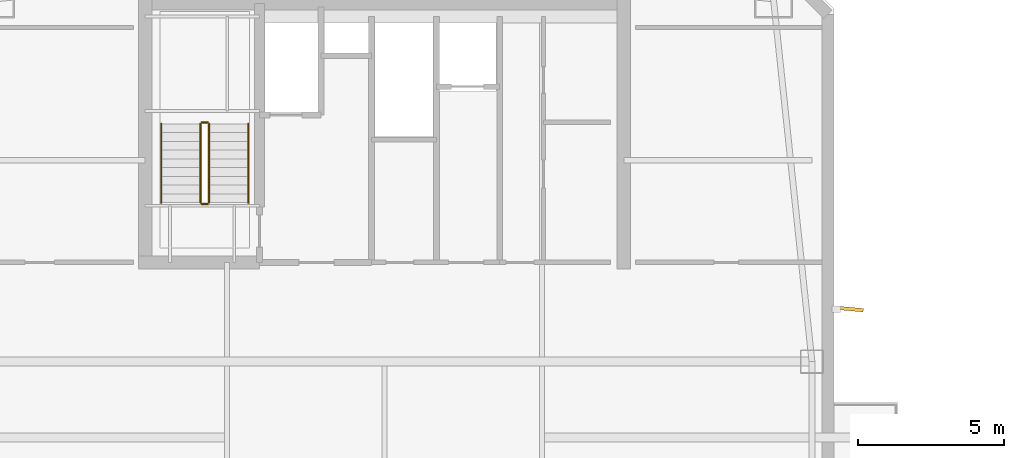
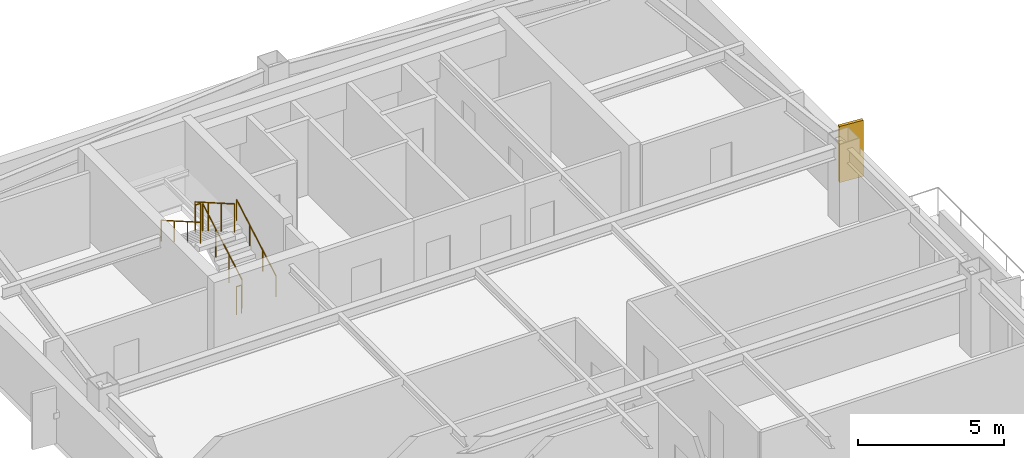
# One storey, part 16 of 18: 6 railings, 1 shading device.
"""IFC4 building model written with IfcOpenShell, lengths in metres."""

from ifc_helpers import new_model, si_unit, direction, frame, origin, origin_2d, place, context, subcontext, project, spatial, rectangle, circle, extrude, material, layer, layer_set, type_object, element, save


model = new_model("IFC4")

# Units and contexts
model_context = context("Model", 3, precision=1e-05, world=origin(), true_north=direction((0.0, 1.0)))
body_context = subcontext(model_context, "Body", "Model", "MODEL_VIEW")
ifc_project = project(units=[si_unit("LENGTHUNIT", "METRE"), si_unit("AREAUNIT", "SQUARE_METRE"), si_unit("VOLUMEUNIT", "CUBIC_METRE"), si_unit("PLANEANGLEUNIT", "RADIAN"), si_unit("MASSUNIT", "GRAM", prefix="KILO")], contexts=[model_context])

# Site, building, storey
site_placement = place(None, origin())
site = spatial("IfcSite", under=ifc_project, at=site_placement, CompositionType="ELEMENT")
building_placement = place(site_placement, origin())
building = spatial("IfcBuilding", under=site, at=building_placement, Name="Qiaolan Cultural Towers", CompositionType="ELEMENT")
storey_placement = place(building_placement, frame((0.0, 0.0, 226.550048828125)))
storey = spatial("IfcBuildingStorey", under=building, at=storey_placement, Name="L61", CompositionType="ELEMENT", Elevation=226.550048828125)

# Railings
ifc_material_1 = material(Name="Galvanized Painted Steel Stair Guardrail", Category="steel")
railing_type_1 = type_object("IfcRailingType", Name="RL-STAIR-GRD", PredefinedType="GUARDRAIL", material=ifc_material_1)
railing_1_placement = place(storey_placement, frame((23.989990234375, 48.449951171875, 0.17236328125)))
element("IfcRailing", 1, at=railing_1_placement, inside=storey, type_object=railing_type_1, Name="L61 ST-W2 stair guard 1", PredefinedType="GUARDRAIL", context=body_context, shape_type="SweptSolid", body=[
    extrude(circle(Radius=0.02392578125, at=origin_2d()), frame((0.0, 0.0, 1.17578125), z_axis=(0.0, 0.866903762492, 0.498475542607), x_axis=(-1.0, 0.0, 0.0)), (0.0, 0.0, 1.0), 3.114501953125),
    extrude(circle(Radius=0.02099609375, at=origin_2d()), origin(), (0.0, 0.0, 1.0), 1.15185546875),
    extrude(circle(Radius=0.02099609375, at=origin_2d()), frame((0.0, 0.89990234375, 0.517578125)), (0.0, 0.0, 1.0), 1.15185546875),
    extrude(circle(Radius=0.02099609375, at=origin_2d()), frame((0.0, 1.800048828125, 1.034912109375)), (0.0, 0.0, 1.0), 1.15185546875),
    extrude(circle(Radius=0.02099609375, at=origin_2d()), frame((0.0, 2.699951171875, 1.552490234375)), (0.0, 0.0, 1.0), 1.15185546875),
])
railing_2_placement = place(storey_placement, frame((23.93994140625, 51.199951171875, 1.724853515625)))
element("IfcRailing", 2, at=railing_2_placement, inside=storey, type_object=railing_type_1, Name="L61 ST-W2 stair guard 2", PredefinedType="GUARDRAIL", context=body_context, shape_type="SweptSolid", body=[
    extrude(circle(Radius=0.02392578125, at=origin_2d()), frame((0.0, 0.0, 1.17578125), z_axis=(-1.0, 0.0, 0.0), x_axis=(0.0, -1.0, 0.0)), (0.0, 0.0, 1.0), 0.199951171875),
    extrude(circle(Radius=0.02099609375, at=origin_2d()), origin(), (0.0, 0.0, 1.0), 1.15185546875),
    extrude(circle(Radius=0.02099609375, at=origin_2d()), frame((-0.199951171875, 0.0, 0.0)), (0.0, 0.0, 1.0), 1.15185546875),
])
railing_3_placement = place(storey_placement, frame((23.68994140625, 51.14990234375, 1.8974609375)))
element("IfcRailing", 3, at=railing_3_placement, inside=storey, type_object=railing_type_1, Name="L61 ST-W2 stair guard 3", PredefinedType="GUARDRAIL", context=body_context, shape_type="SweptSolid", body=[
    extrude(circle(Radius=0.02392578125, at=origin_2d()), frame((0.0, 0.0, 1.17578125), z_axis=(0.0, -0.866903762492, 0.498475542607), x_axis=(1.0, 0.0, 0.0)), (0.0, 0.0, 1.0), 3.114501953125),
    extrude(circle(Radius=0.02099609375, at=origin_2d()), origin(), (0.0, 0.0, 1.0), 1.15185546875),
    extrude(circle(Radius=0.02099609375, at=origin_2d()), frame((0.0, -0.89990234375, 0.517578125)), (0.0, 0.0, 1.0), 1.15185546875),
    extrude(circle(Radius=0.02099609375, at=origin_2d()), frame((0.0, -1.800048828125, 1.034912109375)), (0.0, 0.0, 1.0), 1.15185546875),
    extrude(circle(Radius=0.02099609375, at=origin_2d()), frame((0.0, -2.699951171875, 1.552490234375)), (0.0, 0.0, 1.0), 1.15185546875),
])
railing_4_placement = place(storey_placement, frame((23.93994140625, 48.39990234375, 0.0)))
element("IfcRailing", 4, at=railing_4_placement, inside=storey, type_object=railing_type_1, Name="L61 ST-W2 stair guard 4", PredefinedType="GUARDRAIL", context=body_context, shape_type="SweptSolid", body=[
    extrude(circle(Radius=0.02392578125, at=origin_2d()), frame((0.0, 0.0, 1.17578125), z_axis=(-1.0, 0.0, 0.0), x_axis=(0.0, -1.0, 0.0)), (0.0, 0.0, 1.0), 0.199951171875),
    extrude(circle(Radius=0.02099609375, at=origin_2d()), origin(), (0.0, 0.0, 1.0), 1.15185546875),
    extrude(circle(Radius=0.02099609375, at=origin_2d()), frame((-0.199951171875, 0.0, 0.0)), (0.0, 0.0, 1.0), 1.15185546875),
])
ifc_material_2 = material(Name="Stainless Steel S30408 Tubular Handrail", Category="steel")
railing_type_2 = type_object("IfcRailingType", Name="RL-STAIR-HR", PredefinedType="HANDRAIL", material=ifc_material_2)
railing_5_placement = place(storey_placement, frame((25.330078125, 48.449951171875, 0.17236328125)))
element("IfcRailing", 5, at=railing_5_placement, inside=storey, type_object=railing_type_2, Name="L61 ST-W2 stair handrail 1", PredefinedType="HANDRAIL", context=body_context, shape_type="SweptSolid", body=[
    extrude(circle(Radius=0.02392578125, at=origin_2d()), frame((0.0, 0.0, 0.8759765625), z_axis=(0.0, 0.866903762492, 0.498475542607), x_axis=(-1.0, 0.0, 0.0)), (0.0, 0.0, 1.0), 3.114501953125),
    extrude(circle(Radius=0.02099609375, at=origin_2d()), origin(), (0.0, 0.0, 1.0), 0.851806640625),
    extrude(circle(Radius=0.02099609375, at=origin_2d()), frame((0.0, 0.89990234375, 0.517578125)), (0.0, 0.0, 1.0), 0.851806640625),
    extrude(circle(Radius=0.02099609375, at=origin_2d()), frame((0.0, 1.800048828125, 1.034912109375)), (0.0, 0.0, 1.0), 0.851806640625),
    extrude(circle(Radius=0.02099609375, at=origin_2d()), frame((0.0, 2.699951171875, 1.552490234375)), (0.0, 0.0, 1.0), 0.851806640625),
])
railing_6_placement = place(storey_placement, frame((22.35009765625, 51.14990234375, 1.8974609375)))
element("IfcRailing", 6, at=railing_6_placement, inside=storey, type_object=railing_type_2, Name="L61 ST-W2 stair handrail 2", PredefinedType="HANDRAIL", context=body_context, shape_type="SweptSolid", body=[
    extrude(circle(Radius=0.02392578125, at=origin_2d()), frame((0.0, 0.0, 0.8759765625), z_axis=(0.0, -0.866903762492, 0.498475542607), x_axis=(1.0, 0.0, 0.0)), (0.0, 0.0, 1.0), 3.114501953125),
    extrude(circle(Radius=0.02099609375, at=origin_2d()), origin(), (0.0, 0.0, 1.0), 0.851806640625),
    extrude(circle(Radius=0.02099609375, at=origin_2d()), frame((0.0, -0.89990234375, 0.517578125)), (0.0, 0.0, 1.0), 0.851806640625),
    extrude(circle(Radius=0.02099609375, at=origin_2d()), frame((0.0, -1.800048828125, 1.034912109375)), (0.0, 0.0, 1.0), 0.851806640625),
    extrude(circle(Radius=0.02099609375, at=origin_2d()), frame((0.0, -2.699951171875, 1.552490234375)), (0.0, 0.0, 1.0), 0.851806640625),
])

# Shading device
ifc_material_3 = material(Name="Light Limestone Precast Vertical Fin", Category="masonry")
ifc_layer = layer(ifc_material_3, 0.1201171875)
ifc_layer_set = layer_set([ifc_layer], Name="Light Limestone Precast Vertical Fin")
shading_device_type = type_object("IfcShadingDeviceType", Name="SHD-FIN-WHITE", PredefinedType="USERDEFINED", material=ifc_layer_set)
shading_device_placement = place(storey_placement, frame((45.9599609375, 44.800048828125, 0.099853515625), z_axis=(0.0, 0.0, 1.0), x_axis=(0.995993912618, -0.089421060319, 0.0)))
element("IfcShadingDevice", 7, at=shading_device_placement, inside=storey, type_object=shading_device_type, Name="L61 T1 Expressive Precast Vertical Fin E3", ObjectType="FIN", PredefinedType="USERDEFINED", context=body_context, shape_type="SweptSolid", body=[
    extrude(rectangle(XDim=0.89990234375, YDim=0.1201171875, at=origin_2d()), origin(), (0.0, 0.0, 1.0), 2.35009765625),
])

save(model, "model.ifc")
